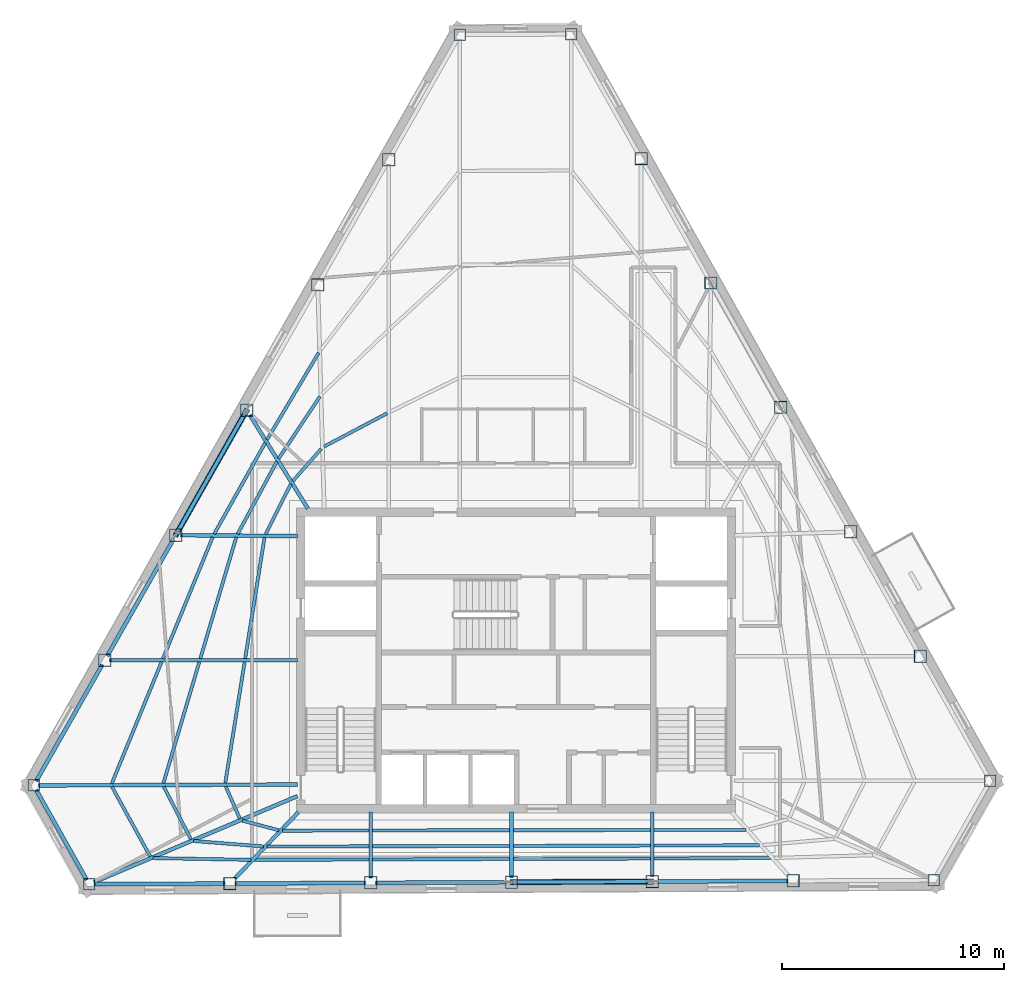
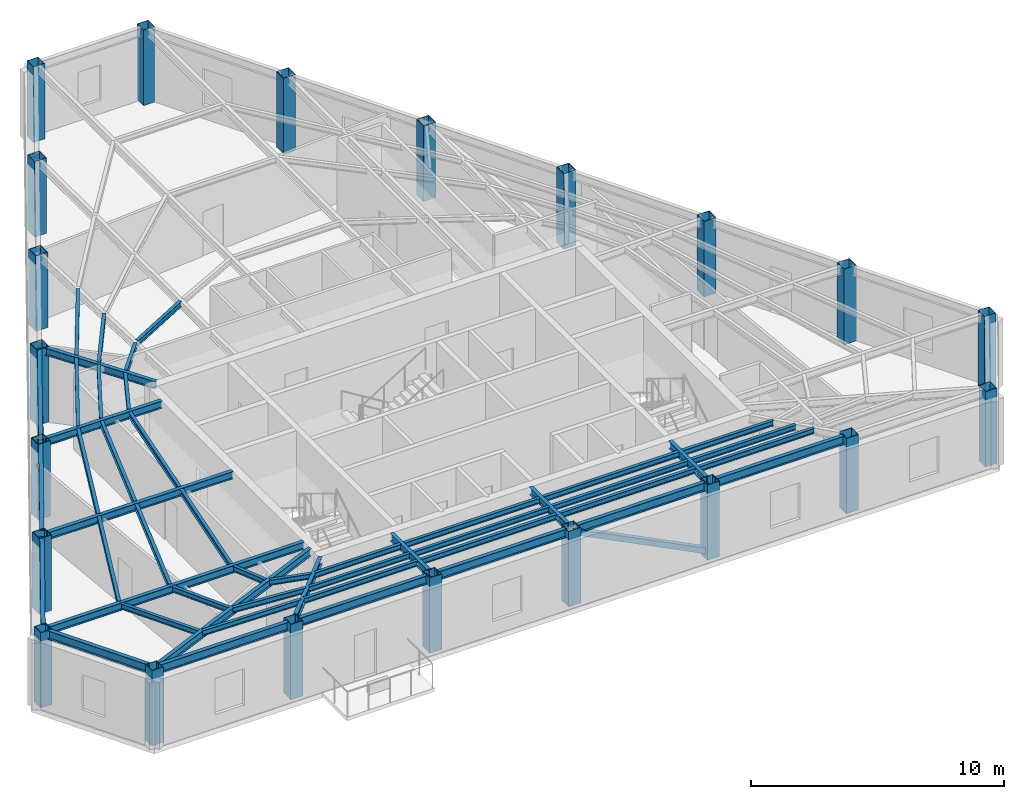
# One storey, part 1 of 9: 49 beams, 21 columns, 2 members.
"""IFC4 building model written with IfcOpenShell, lengths in metres."""

from ifc_helpers import new_model, si_unit, direction, frame, origin, origin_2d, place, context, subcontext, project, spatial, hollow_rectangle, i_section, extrude, material, material_profile, profile_set, type_object, element, save


model = new_model("IFC4")

# Units and contexts
model_context = context("Model", 3, precision=1e-05, world=origin(), true_north=direction((0.0, 1.0)))
body_context = subcontext(model_context, "Body", "Model", "MODEL_VIEW")
ifc_project = project(units=[si_unit("LENGTHUNIT", "METRE"), si_unit("AREAUNIT", "SQUARE_METRE"), si_unit("VOLUMEUNIT", "CUBIC_METRE"), si_unit("PLANEANGLEUNIT", "RADIAN"), si_unit("MASSUNIT", "GRAM", prefix="KILO")], contexts=[model_context])

# Site, building, storey
site_placement = place(None, origin())
site = spatial("IfcSite", under=ifc_project, at=site_placement, CompositionType="ELEMENT")
building_placement = place(site_placement, origin())
building = spatial("IfcBuilding", under=site, at=building_placement, Name="Kavelnor Concourse Tower", CompositionType="ELEMENT")
storey_placement = place(building_placement, frame((0.0, 0.0, 301.10009765625)))
storey = spatial("IfcBuildingStorey", under=building, at=storey_placement, Name="L76", CompositionType="ELEMENT", Elevation=301.10009765625)

# Columns
ifc_material = material(Name="Steel Grade 350", Category="steel")
ifc_material_profile_1 = material_profile(ifc_material, hollow_rectangle(XDim=0.52001953125, YDim=0.52001953125, WallThickness=0.02392578125, at=origin_2d()), Name="SHS 520x520x24")
ifc_profile_set_1 = profile_set([ifc_material_profile_1], Name="Steel Grade 350")
column_type_1 = type_object("IfcColumnType", Name="COL-FOLD-Z4", PredefinedType="COLUMN", material=ifc_profile_set_1)
for number, where, z_axis, x_axis, name in (
    (1, (35.46240234375, 44.32861328125, 0.0), (0.0, 0.0, 1.0), (1.0, 0.0, 0.0), "L76 Perimeter Corner-Fold Column F0-B0"),
    (2, (16.238525390625, 10.455078125, 0.0), (0.0, 0.0, 1.0), (1.0, 0.0, 0.0), "L76 Perimeter Corner-Fold Column F0-B6"),
    (3, (18.739501953125, 5.998779296875, 0.0), (0.0, 0.0, 1.0), (1.0, 0.0, 0.0), "L76 Perimeter Corner-Fold Column F1-B0"),
    (4, (56.849609375, 6.18017578125, 0.0), (0.0, 0.0, 1.0), (1.0, 0.0, 0.0), "L76 Perimeter Corner-Fold Column F1-B6"),
    (5, (59.396728515625, 10.668212890625, 0.0), (0.0, 0.0, 1.0), (1.0, 0.0, 0.0), "L76 Perimeter Corner-Fold Column F2-B0"),
    (6, (40.49169921875, 44.352783203125, 0.0), (0.0, 0.0, 1.0), (1.0, 0.0, 0.0), "L76 Perimeter Corner-Fold Column F2-B6"),
):
    element("IfcColumn", number, at=place(storey_placement, frame(where, z_axis=z_axis, x_axis=x_axis)), inside=storey, type_object=column_type_1, Name=name, PredefinedType="COLUMN", context=body_context, shape_type="SweptSolid", body=[
        extrude(hollow_rectangle(XDim=0.52001953125, YDim=0.52001953125, WallThickness=0.02392578125, at=origin_2d()), origin(), (0.0, 0.0, 1.0), 3.635009765625),
    ])
ifc_material_profile_2 = material_profile(ifc_material, hollow_rectangle(XDim=0.56005859375, YDim=0.56005859375, WallThickness=0.02490234375, at=origin_2d()), Name="SHS 560x560x25")
ifc_profile_set_2 = profile_set([ifc_material_profile_2], Name="Steel Grade 350")
column_type_2 = type_object("IfcColumnType", Name="COL-TUBE-Z4", PredefinedType="COLUMN", material=ifc_profile_set_2)
for number, where, z_axis, x_axis, name in (
    (7, (32.25830078125, 38.68310546875, 0.0), (0.0, 0.0, 1.0), (1.0, 0.0, 0.0), "L76 Perimeter Framed-Tube Column F0-B1"),
    (8, (29.054443359375, 33.03759765625, 0.0), (0.0, 0.0, 1.0), (1.0, 0.0, 0.0), "L76 Perimeter Framed-Tube Column F0-B2"),
    (9, (25.850341796875, 27.391845703125, 0.0), (0.0, 0.0, 1.0), (1.0, 0.0, 0.0), "L76 Perimeter Framed-Tube Column F0-B3"),
    (10, (22.646484375, 21.74609375, 0.0), (0.0, 0.0, 1.0), (1.0, 0.0, 0.0), "L76 Perimeter Framed-Tube Column F0-B4"),
    (11, (19.4423828125, 16.1005859375, 0.0), (0.0, 0.0, 1.0), (1.0, 0.0, 0.0), "L76 Perimeter Framed-Tube Column F0-B5"),
    (12, (25.09130859375, 6.02880859375, 0.0), (0.0, 0.0, 1.0), (1.0, 0.0, 0.0), "L76 Perimeter Framed-Tube Column F1-B1"),
    (13, (31.44287109375, 6.05908203125, 0.0), (0.0, 0.0, 1.0), (1.0, 0.0, 0.0), "L76 Perimeter Framed-Tube Column F1-B2"),
    (14, (37.794677734375, 6.08935546875, 0.0), (0.0, 0.0, 1.0), (1.0, 0.0, 0.0), "L76 Perimeter Framed-Tube Column F1-B3"),
    (15, (44.146240234375, 6.11962890625, 0.0), (0.0, 0.0, 1.0), (1.0, 0.0, 0.0), "L76 Perimeter Framed-Tube Column F1-B4"),
    (16, (50.498046875, 6.14990234375, 0.0), (0.0, 0.0, 1.0), (1.0, 0.0, 0.0), "L76 Perimeter Framed-Tube Column F1-B5"),
    (17, (56.245849609375, 16.2822265625, 0.0), (0.0, 0.0, 1.0), (1.0, 0.0, 0.0), "L76 Perimeter Framed-Tube Column F2-B1"),
    (18, (53.09521484375, 21.896240234375, 0.0), (0.0, 0.0, 1.0), (1.0, 0.0, 0.0), "L76 Perimeter Framed-Tube Column F2-B2"),
    (19, (49.944091796875, 27.510498046875, 0.0), (0.0, 0.0, 1.0), (1.0, 0.0, 0.0), "L76 Perimeter Framed-Tube Column F2-B3"),
    (20, (46.793212890625, 33.12451171875, 0.0), (0.0, 0.0, 1.0), (1.0, 0.0, 0.0), "L76 Perimeter Framed-Tube Column F2-B4"),
    (21, (43.642578125, 38.738525390625, 0.0), (0.0, 0.0, 1.0), (1.0, 0.0, 0.0), "L76 Perimeter Framed-Tube Column F2-B5"),
):
    element("IfcColumn", number, at=place(storey_placement, frame(where, z_axis=z_axis, x_axis=x_axis)), inside=storey, type_object=column_type_2, Name=name, PredefinedType="COLUMN", context=body_context, shape_type="SweptSolid", body=[
        extrude(hollow_rectangle(XDim=0.56005859375, YDim=0.56005859375, WallThickness=0.02490234375, at=origin_2d()), origin(), (0.0, 0.0, 1.0), 3.635009765625),
    ])

# Beams
ifc_material_profile_3 = material_profile(ifc_material, i_section(OverallWidth=0.14599609375, OverallDepth=0.256103515625, WebThickness=0.00634765625, FlangeThickness=0.010986328125, at=origin_2d()), Name="250UB37")
ifc_profile_set_3 = profile_set([ifc_material_profile_3], Name="Steel Grade 350")
beam_type_1 = type_object("IfcBeamType", Name="BM-JOIST-250", PredefinedType="JOIST", material=ifc_profile_set_3)
beam_1_placement = place(storey_placement, frame((24.902099609375, 10.409423828125, 3.5068359375), z_axis=(0.400810725197, -0.916160882469, 0.0), x_axis=(0.916160882469, 0.400810725197, 0.0)))
element("IfcBeam", 22, at=beam_1_placement, inside=storey, type_object=beam_type_1, Name="L76 Secondary Composite Joist 01-1", PredefinedType="JOIST", context=body_context, shape_type="SweptSolid", body=[
    extrude(i_section(OverallWidth=0.14599609375, OverallDepth=0.256103515625, WebThickness=0.00634765625, FlangeThickness=0.010986328125, at=origin_2d()), origin(), (0.0, 0.0, 1.0), 1.579345703125),
])
beam_2_placement = place(storey_placement, frame((22.103271484375, 10.402099609375, 3.5068359375), z_axis=(0.458766317097, -0.888556957261, 0.0), x_axis=(0.888556957261, 0.458766317097, 0.0)))
element("IfcBeam", 23, at=beam_2_placement, inside=storey, type_object=beam_type_1, Name="L76 Secondary Composite Joist 01-2", PredefinedType="JOIST", context=body_context, shape_type="SweptSolid", body=[
    extrude(i_section(OverallWidth=0.14599609375, OverallDepth=0.256103515625, WebThickness=0.00634765625, FlangeThickness=0.010986328125, at=origin_2d()), origin(), (0.0, 0.0, 1.0), 2.6708984375),
])
beam_3_placement = place(storey_placement, frame((19.768798828125, 10.39501953125, 3.5068359375), z_axis=(0.480702547886, -0.876883721172, 0.0), x_axis=(0.876883721172, 0.480702547886, 0.0)))
element("IfcBeam", 24, at=beam_3_placement, inside=storey, type_object=beam_type_1, Name="L76 Secondary Composite Joist 01-3", PredefinedType="JOIST", context=body_context, shape_type="SweptSolid", body=[
    extrude(i_section(OverallWidth=0.14599609375, OverallDepth=0.256103515625, WebThickness=0.00634765625, FlangeThickness=0.010986328125, at=origin_2d()), origin(), (0.0, 0.0, 1.0), 3.584716796875),
])
beam_4_placement = place(storey_placement, frame((25.6474609375, 8.86669921875, 3.5068359375), z_axis=(0.967143071261, -0.25423272746, 0.0), x_axis=(0.25423272746, 0.967143071261, 0.0)))
element("IfcBeam", 25, at=beam_4_placement, inside=storey, type_object=beam_type_1, Name="L76 Secondary Composite Joist 02-1", PredefinedType="JOIST", context=body_context, shape_type="SweptSolid", body=[
    extrude(i_section(OverallWidth=0.14599609375, OverallDepth=0.256103515625, WebThickness=0.00634765625, FlangeThickness=0.010986328125, at=origin_2d()), origin(), (0.0, 0.0, 1.0), 1.70654296875),
])
beam_5_placement = place(storey_placement, frame((23.447998046875, 7.94970703125, 3.5068359375), z_axis=(0.996920218009, -0.07842243891, 0.0), x_axis=(0.07842243891, 0.996920218009, 0.0)))
element("IfcBeam", 26, at=beam_5_placement, inside=storey, type_object=beam_type_1, Name="L76 Secondary Composite Joist 02-2", PredefinedType="JOIST", context=body_context, shape_type="SweptSolid", body=[
    extrude(i_section(OverallWidth=0.14599609375, OverallDepth=0.256103515625, WebThickness=0.00634765625, FlangeThickness=0.010986328125, at=origin_2d()), origin(), (0.0, 0.0, 1.0), 3.169189453125),
])
beam_6_placement = place(storey_placement, frame((21.61328125, 7.17822265625, 3.5068359375), z_axis=(0.99983695246, -0.01805736681, 0.0), x_axis=(0.01805736681, 0.99983695246, 0.0)))
element("IfcBeam", 27, at=beam_6_placement, inside=storey, type_object=beam_type_1, Name="L76 Secondary Composite Joist 02-3", PredefinedType="JOIST", context=body_context, shape_type="SweptSolid", body=[
    extrude(i_section(OverallWidth=0.14599609375, OverallDepth=0.256103515625, WebThickness=0.00634765625, FlangeThickness=0.010986328125, at=origin_2d()), origin(), (0.0, 0.0, 1.0), 4.421142578125),
])
beam_7_placement = place(storey_placement, frame((27.458984375, 8.412353515625, 3.5068359375), z_axis=(0.999994706889, 0.003253643146, 0.0), x_axis=(-0.003253643146, 0.999994706889, 0.0)))
element("IfcBeam", 28, at=beam_7_placement, inside=storey, type_object=beam_type_1, Name="L76 Secondary Composite Joist 03-1", PredefinedType="JOIST", context=body_context, shape_type="SweptSolid", body=[
    extrude(i_section(OverallWidth=0.14599609375, OverallDepth=0.256103515625, WebThickness=0.00634765625, FlangeThickness=0.010986328125, at=origin_2d()), origin(), (0.0, 0.0, 1.0), 3.90185546875),
])
beam_8_placement = place(storey_placement, frame((26.77099609375, 7.69482421875, 3.5068359375), z_axis=(0.999994736065, 0.003244663771, 0.0), x_axis=(-0.003244663771, 0.999994736065, 0.0)))
element("IfcBeam", 29, at=beam_8_placement, inside=storey, type_object=beam_type_1, Name="L76 Secondary Composite Joist 03-2", PredefinedType="JOIST", context=body_context, shape_type="SweptSolid", body=[
    extrude(i_section(OverallWidth=0.14599609375, OverallDepth=0.256103515625, WebThickness=0.00634765625, FlangeThickness=0.010986328125, at=origin_2d()), origin(), (0.0, 0.0, 1.0), 4.58984375),
])
beam_9_placement = place(storey_placement, frame((26.19775390625, 7.09716796875, 3.5068359375), z_axis=(0.999994981456, 0.003168132389, 0.0), x_axis=(-0.003168132389, 0.999994981456, 0.0)))
element("IfcBeam", 30, at=beam_9_placement, inside=storey, type_object=beam_type_1, Name="L76 Secondary Composite Joist 03-3", PredefinedType="JOIST", context=body_context, shape_type="SweptSolid", body=[
    extrude(i_section(OverallWidth=0.14599609375, OverallDepth=0.256103515625, WebThickness=0.00634765625, FlangeThickness=0.010986328125, at=origin_2d()), origin(), (0.0, 0.0, 1.0), 5.1630859375),
])
for number, where, z_axis, x_axis, name in (
    (31, (31.52490234375, 8.425537109375, 3.5068359375), (0.999999152357, 0.001302030855, 0.0), (-0.001302030855, 0.999999152357, 0.0), "L76 Secondary Composite Joist 04-1"),
    (32, (31.52490234375, 7.710205078125, 3.5068359375), (0.999996910669, 0.002485689697, 0.0), (-0.002485689697, 0.999996910669, 0.0), "L76 Secondary Composite Joist 04-2"),
    (33, (31.52490234375, 7.114013671875, 3.5068359375), (0.999994108579, 0.003432609487, 0.0), (-0.003432609487, 0.999994108579, 0.0), "L76 Secondary Composite Joist 04-3"),
):
    element("IfcBeam", number, at=place(storey_placement, frame(where, z_axis=z_axis, x_axis=x_axis)), inside=storey, type_object=beam_type_1, Name=name, PredefinedType="JOIST", context=body_context, shape_type="SweptSolid", body=[
        extrude(i_section(OverallWidth=0.14599609375, OverallDepth=0.256103515625, WebThickness=0.00634765625, FlangeThickness=0.010986328125, at=origin_2d()), origin(), (0.0, 0.0, 1.0), 6.187744140625),
    ])
for number, where, z_axis, x_axis, name in (
    (34, (37.876708984375, 8.433837890625, 3.5068359375), (0.999999100136, 0.001341539197, 0.0), (-0.001341539197, 0.999999100136, 0.0), "L76 Secondary Composite Joist 05-1"),
    (35, (37.876708984375, 7.725830078125, 3.5068359375), (0.999996910425, 0.002485787774, 0.0), (-0.002485787774, 0.999996910425, 0.0), "L76 Secondary Composite Joist 05-2"),
    (36, (37.876708984375, 7.1357421875, 3.5068359375), (0.999994108114, 0.003432744926, 0.0), (-0.003432744926, 0.999994108114, 0.0), "L76 Secondary Composite Joist 05-3"),
):
    element("IfcBeam", number, at=place(storey_placement, frame(where, z_axis=z_axis, x_axis=x_axis)), inside=storey, type_object=beam_type_1, Name=name, PredefinedType="JOIST", context=body_context, shape_type="SweptSolid", body=[
        extrude(i_section(OverallWidth=0.14599609375, OverallDepth=0.256103515625, WebThickness=0.00634765625, FlangeThickness=0.010986328125, at=origin_2d()), origin(), (0.0, 0.0, 1.0), 6.1875),
    ])
beam_10_placement = place(storey_placement, frame((44.228271484375, 8.4423828125, 3.5068359375), z_axis=(0.999999555002, 0.000943395807, 0.0), x_axis=(-0.000943395807, 0.999999555002, 0.0)))
element("IfcBeam", 37, at=beam_10_placement, inside=storey, type_object=beam_type_1, Name="L76 Secondary Composite Joist 06-1", PredefinedType="JOIST", context=body_context, shape_type="SweptSolid", body=[
    extrude(i_section(OverallWidth=0.14599609375, OverallDepth=0.256103515625, WebThickness=0.00634765625, FlangeThickness=0.010986328125, at=origin_2d()), origin(), (0.0, 0.0, 1.0), 4.140625),
])
beam_11_placement = place(storey_placement, frame((44.228271484375, 7.74169921875, 3.5068359375), z_axis=(0.999994600277, 0.003286246697, 0.0), x_axis=(-0.003286246697, 0.999994600277, 0.0)))
element("IfcBeam", 38, at=beam_11_placement, inside=storey, type_object=beam_type_1, Name="L76 Secondary Composite Joist 06-2", PredefinedType="JOIST", context=body_context, shape_type="SweptSolid", body=[
    extrude(i_section(OverallWidth=0.14599609375, OverallDepth=0.256103515625, WebThickness=0.00634765625, FlangeThickness=0.010986328125, at=origin_2d()), origin(), (0.0, 0.0, 1.0), 4.754638671875),
])
beam_12_placement = place(storey_placement, frame((44.228271484375, 7.15771484375, 3.5068359375), z_axis=(0.999988376717, 0.004821455317, 0.0), x_axis=(-0.004821455317, 0.999988376717, 0.0)))
element("IfcBeam", 39, at=beam_12_placement, inside=storey, type_object=beam_type_1, Name="L76 Secondary Composite Joist 06-3", PredefinedType="JOIST", context=body_context, shape_type="SweptSolid", body=[
    extrude(i_section(OverallWidth=0.14599609375, OverallDepth=0.256103515625, WebThickness=0.00634765625, FlangeThickness=0.010986328125, at=origin_2d()), origin(), (0.0, 0.0, 1.0), 5.26611328125),
])
beam_13_placement = place(storey_placement, frame((32.185791015625, 27.248291015625, 3.5068359375), z_axis=(-0.884246534985, -0.467020412152, 0.0), x_axis=(0.467020412152, -0.884246534985, 0.0)))
element("IfcBeam", 40, at=beam_13_placement, inside=storey, type_object=beam_type_1, Name="L76 Secondary Composite Joist 17-1", PredefinedType="JOIST", context=body_context, shape_type="SweptSolid", body=[
    extrude(i_section(OverallWidth=0.14599609375, OverallDepth=0.256103515625, WebThickness=0.00634765625, FlangeThickness=0.010986328125, at=origin_2d()), origin(), (0.0, 0.0, 1.0), 3.22119140625),
])
beam_14_placement = place(storey_placement, frame((29.210693359375, 25.644287109375, 3.5068359375), z_axis=(-0.66106767145, -0.750326284868, 0.0), x_axis=(0.750326284868, -0.66106767145, 0.0)))
element("IfcBeam", 41, at=beam_14_placement, inside=storey, type_object=beam_type_1, Name="L76 Secondary Composite Joist 18-1", PredefinedType="JOIST", context=body_context, shape_type="SweptSolid", body=[
    extrude(i_section(OverallWidth=0.14599609375, OverallDepth=0.256103515625, WebThickness=0.00634765625, FlangeThickness=0.010986328125, at=origin_2d()), origin(), (0.0, 0.0, 1.0), 1.939208984375),
])
beam_15_placement = place(storey_placement, frame((29.151611328125, 28.008056640625, 3.5068359375), z_axis=(-0.553308062205, -0.832976703335, 0.0), x_axis=(0.832976703335, -0.553308062205, 0.0)))
element("IfcBeam", 42, at=beam_15_placement, inside=storey, type_object=beam_type_1, Name="L76 Secondary Composite Joist 18-2", PredefinedType="JOIST", context=body_context, shape_type="SweptSolid", body=[
    extrude(i_section(OverallWidth=0.14599609375, OverallDepth=0.256103515625, WebThickness=0.00634765625, FlangeThickness=0.010986328125, at=origin_2d()), origin(), (0.0, 0.0, 1.0), 3.36083984375),
])
beam_16_placement = place(storey_placement, frame((29.09814453125, 29.981201171875, 3.5068359375), z_axis=(-0.510804261915, -0.859697043155, 0.0), x_axis=(0.859697043155, -0.510804261915, 0.0)))
element("IfcBeam", 43, at=beam_16_placement, inside=storey, type_object=beam_type_1, Name="L76 Secondary Composite Joist 18-3", PredefinedType="JOIST", context=body_context, shape_type="SweptSolid", body=[
    extrude(i_section(OverallWidth=0.14599609375, OverallDepth=0.256103515625, WebThickness=0.00634765625, FlangeThickness=0.010986328125, at=origin_2d()), origin(), (0.0, 0.0, 1.0), 4.5673828125),
])
beam_17_placement = place(storey_placement, frame((27.837890625, 24.05419921875, 3.5068359375), z_axis=(-0.449294952121, -0.893383482049, 0.0), x_axis=(0.893383482049, -0.449294952121, 0.0)))
element("IfcBeam", 44, at=beam_17_placement, inside=storey, type_object=beam_type_1, Name="L76 Secondary Composite Joist 19-1", PredefinedType="JOIST", context=body_context, shape_type="SweptSolid", body=[
    extrude(i_section(OverallWidth=0.14599609375, OverallDepth=0.256103515625, WebThickness=0.00634765625, FlangeThickness=0.010986328125, at=origin_2d()), origin(), (0.0, 0.0, 1.0), 2.5322265625),
])
beam_18_placement = place(storey_placement, frame((27.20751953125, 25.068115234375, 3.5068359375), z_axis=(-0.476314882076, -0.879274776798, 0.0), x_axis=(0.879274776798, -0.476314882076, 0.0)))
element("IfcBeam", 45, at=beam_18_placement, inside=storey, type_object=beam_type_1, Name="L76 Secondary Composite Joist 19-2", PredefinedType="JOIST", context=body_context, shape_type="SweptSolid", body=[
    extrude(i_section(OverallWidth=0.14599609375, OverallDepth=0.256103515625, WebThickness=0.00634765625, FlangeThickness=0.010986328125, at=origin_2d()), origin(), (0.0, 0.0, 1.0), 3.717529296875),
])
beam_19_placement = place(storey_placement, frame((26.68310546875, 25.91259765625, 3.5068359375), z_axis=(-0.488674444785, -0.872466209669, 0.0), x_axis=(0.872466209669, -0.488674444785, 0.0)))
element("IfcBeam", 46, at=beam_19_placement, inside=storey, type_object=beam_type_1, Name="L76 Secondary Composite Joist 19-3", PredefinedType="JOIST", context=body_context, shape_type="SweptSolid", body=[
    extrude(i_section(OverallWidth=0.14599609375, OverallDepth=0.256103515625, WebThickness=0.00634765625, FlangeThickness=0.010986328125, at=origin_2d()), origin(), (0.0, 0.0, 1.0), 4.706787109375),
])
beam_20_placement = place(storey_placement, frame((26.650390625, 21.6376953125, 3.5068359375), z_axis=(-0.157659605927, -0.987493518287, 0.0), x_axis=(0.987493518287, -0.157659605927, 0.0)))
element("IfcBeam", 47, at=beam_20_placement, inside=storey, type_object=beam_type_1, Name="L76 Secondary Composite Joist 20-1", PredefinedType="JOIST", context=body_context, shape_type="SweptSolid", body=[
    extrude(i_section(OverallWidth=0.14599609375, OverallDepth=0.256103515625, WebThickness=0.00634765625, FlangeThickness=0.010986328125, at=origin_2d()), origin(), (0.0, 0.0, 1.0), 5.525146484375),
])
beam_21_placement = place(storey_placement, frame((25.37451171875, 21.648681640625, 3.5068359375), z_axis=(-0.283933858134, -0.958843868523, 0.0), x_axis=(0.958843868523, -0.283933858134, 0.0)))
element("IfcBeam", 48, at=beam_21_placement, inside=storey, type_object=beam_type_1, Name="L76 Secondary Composite Joist 20-2", PredefinedType="JOIST", context=body_context, shape_type="SweptSolid", body=[
    extrude(i_section(OverallWidth=0.14599609375, OverallDepth=0.256103515625, WebThickness=0.00634765625, FlangeThickness=0.010986328125, at=origin_2d()), origin(), (0.0, 0.0, 1.0), 5.704345703125),
])
beam_22_placement = place(storey_placement, frame((24.31201171875, 21.65869140625, 3.5068359375), z_axis=(-0.378910449754, -0.925433342314, 0.0), x_axis=(0.925433342314, -0.378910449754, 0.0)))
element("IfcBeam", 49, at=beam_22_placement, inside=storey, type_object=beam_type_1, Name="L76 Secondary Composite Joist 20-3", PredefinedType="JOIST", context=body_context, shape_type="SweptSolid", body=[
    extrude(i_section(OverallWidth=0.14599609375, OverallDepth=0.256103515625, WebThickness=0.00634765625, FlangeThickness=0.010986328125, at=origin_2d()), origin(), (0.0, 0.0, 1.0), 5.923828125),
])
beam_23_placement = place(storey_placement, frame((25.75341796875, 16.01953125, 3.5068359375), z_axis=(-0.157764648884, -0.987476741783, 0.0), x_axis=(0.987476741783, -0.157764648884, 0.0)))
element("IfcBeam", 50, at=beam_23_placement, inside=storey, type_object=beam_type_1, Name="L76 Secondary Composite Joist 21-1", PredefinedType="JOIST", context=body_context, shape_type="SweptSolid", body=[
    extrude(i_section(OverallWidth=0.14599609375, OverallDepth=0.256103515625, WebThickness=0.00634765625, FlangeThickness=0.010986328125, at=origin_2d()), origin(), (0.0, 0.0, 1.0), 5.52294921875),
])
beam_24_placement = place(storey_placement, frame((23.70849609375, 16.02197265625, 3.5068359375), z_axis=(-0.283992130415, -0.958826610948, 0.0), x_axis=(0.958826610948, -0.283992130415, 0.0)))
element("IfcBeam", 51, at=beam_24_placement, inside=storey, type_object=beam_type_1, Name="L76 Secondary Composite Joist 21-2", PredefinedType="JOIST", context=body_context, shape_type="SweptSolid", body=[
    extrude(i_section(OverallWidth=0.14599609375, OverallDepth=0.256103515625, WebThickness=0.00634765625, FlangeThickness=0.010986328125, at=origin_2d()), origin(), (0.0, 0.0, 1.0), 5.703125),
])
beam_25_placement = place(storey_placement, frame((22.005126953125, 16.024658203125, 3.5068359375), z_axis=(-0.378939354833, -0.92542150686, 0.0), x_axis=(0.92542150686, -0.378939354833, 0.0)))
element("IfcBeam", 52, at=beam_25_placement, inside=storey, type_object=beam_type_1, Name="L76 Secondary Composite Joist 21-3", PredefinedType="JOIST", context=body_context, shape_type="SweptSolid", body=[
    extrude(i_section(OverallWidth=0.14599609375, OverallDepth=0.256103515625, WebThickness=0.00634765625, FlangeThickness=0.010986328125, at=origin_2d()), origin(), (0.0, 0.0, 1.0), 5.92333984375),
])
ifc_material_profile_4 = material_profile(ifc_material, i_section(OverallWidth=0.172119140625, OverallDepth=0.35888671875, WebThickness=0.008056640625, FlangeThickness=0.012939453125, at=origin_2d()), Name="360UB56")
ifc_profile_set_4 = profile_set([ifc_material_profile_4], Name="Steel Grade 350")
beam_type_2 = type_object("IfcBeamType", Name="BM-PRIMARY-360", PredefinedType="BEAM", material=ifc_profile_set_4)
beam_26_placement = place(storey_placement, frame((28.607421875, 22.946044921875, 3.455322265625), z_axis=(-0.527043373198, 0.849838386264, 0.0), x_axis=(-0.849838386264, -0.527043373198, 0.0)))
element("IfcBeam", 53, at=beam_26_placement, inside=storey, type_object=beam_type_2, Name="L76 Primary Floor Girder F0-B3", PredefinedType="BEAM", context=body_context, shape_type="SweptSolid", body=[
    extrude(i_section(OverallWidth=0.172119140625, OverallDepth=0.35888671875, WebThickness=0.008056640625, FlangeThickness=0.012939453125, at=origin_2d()), origin(), (0.0, 0.0, 1.0), 4.96533203125),
])
beam_27_placement = place(storey_placement, frame((28.139892578125, 21.70849609375, 3.455322265625), z_axis=(-0.99997652689, 0.006851691018, 0.0), x_axis=(-0.006851691018, -0.99997652689, 0.0)))
element("IfcBeam", 54, at=beam_27_placement, inside=storey, type_object=beam_type_2, Name="L76 Primary Floor Girder F0-B4", PredefinedType="BEAM", context=body_context, shape_type="SweptSolid", body=[
    extrude(i_section(OverallWidth=0.172119140625, OverallDepth=0.35888671875, WebThickness=0.008056640625, FlangeThickness=0.012939453125, at=origin_2d()), origin(), (0.0, 0.0, 1.0), 5.273681640625),
])
beam_28_placement = place(storey_placement, frame((28.139892578125, 16.1005859375, 3.455322265625), z_axis=(-1.0, 0.0, 0.0), x_axis=(0.0, -1.0, 0.0)))
element("IfcBeam", 55, at=beam_28_placement, inside=storey, type_object=beam_type_2, Name="L76 Primary Floor Girder F0-B5", PredefinedType="BEAM", context=body_context, shape_type="SweptSolid", body=[
    extrude(i_section(OverallWidth=0.172119140625, OverallDepth=0.35888671875, WebThickness=0.008056640625, FlangeThickness=0.012939453125, at=origin_2d()), origin(), (0.0, 0.0, 1.0), 8.477294921875),
])
beam_29_placement = place(storey_placement, frame((28.139892578125, 10.495849609375, 3.455322265625), z_axis=(-0.999994125858, -0.003427571982, 0.0), x_axis=(0.003427571982, -0.999994125858, 0.0)))
element("IfcBeam", 56, at=beam_29_placement, inside=storey, type_object=beam_type_2, Name="L76 Primary Floor Girder F0-B6", PredefinedType="BEAM", context=body_context, shape_type="SweptSolid", body=[
    extrude(i_section(OverallWidth=0.172119140625, OverallDepth=0.35888671875, WebThickness=0.008056640625, FlangeThickness=0.012939453125, at=origin_2d()), origin(), (0.0, 0.0, 1.0), 11.681396484375),
])
beam_30_placement = place(storey_placement, frame((28.13671875, 9.97412109375, 3.455322265625), z_axis=(-0.920975707542, -0.389620002203, 0.0), x_axis=(0.389620002203, -0.920975707542, 0.0)))
element("IfcBeam", 57, at=beam_30_placement, inside=storey, type_object=beam_type_2, Name="L76 Primary Floor Girder F1-B0", PredefinedType="BEAM", context=body_context, shape_type="SweptSolid", body=[
    extrude(i_section(OverallWidth=0.172119140625, OverallDepth=0.35888671875, WebThickness=0.008056640625, FlangeThickness=0.012939453125, at=origin_2d()), origin(), (0.0, 0.0, 1.0), 9.961181640625),
])
beam_31_placement = place(storey_placement, frame((28.179931640625, 9.248779296875, 3.455322265625), z_axis=(-0.692245860582, -0.721661741058, 0.0), x_axis=(0.721661741058, -0.692245860582, 0.0)))
element("IfcBeam", 58, at=beam_31_placement, inside=storey, type_object=beam_type_2, Name="L76 Primary Floor Girder F1-B1", PredefinedType="BEAM", context=body_context, shape_type="SweptSolid", body=[
    extrude(i_section(OverallWidth=0.172119140625, OverallDepth=0.35888671875, WebThickness=0.008056640625, FlangeThickness=0.012939453125, at=origin_2d()), origin(), (0.0, 0.0, 1.0), 4.1416015625),
])
beam_32_placement = place(storey_placement, frame((31.44287109375, 9.260009765625, 3.455322265625), z_axis=(0.0, -1.0, 0.0), x_axis=(1.0, 0.0, 0.0)))
element("IfcBeam", 59, at=beam_32_placement, inside=storey, type_object=beam_type_2, Name="L76 Primary Floor Girder F1-B2", PredefinedType="BEAM", context=body_context, shape_type="SweptSolid", body=[
    extrude(i_section(OverallWidth=0.172119140625, OverallDepth=0.35888671875, WebThickness=0.008056640625, FlangeThickness=0.012939453125, at=origin_2d()), origin(), (0.0, 0.0, 1.0), 2.980712890625),
])
beam_33_placement = place(storey_placement, frame((37.794677734375, 9.260009765625, 3.455322265625), z_axis=(0.0, -1.0, 0.0), x_axis=(1.0, 0.0, 0.0)))
element("IfcBeam", 60, at=beam_33_placement, inside=storey, type_object=beam_type_2, Name="L76 Primary Floor Girder F1-B3", PredefinedType="BEAM", context=body_context, shape_type="SweptSolid", body=[
    extrude(i_section(OverallWidth=0.172119140625, OverallDepth=0.35888671875, WebThickness=0.008056640625, FlangeThickness=0.012939453125, at=origin_2d()), origin(), (0.0, 0.0, 1.0), 2.95068359375),
])
beam_34_placement = place(storey_placement, frame((44.146240234375, 9.260009765625, 3.455322265625), z_axis=(0.0, -1.0, 0.0), x_axis=(1.0, 0.0, 0.0)))
element("IfcBeam", 61, at=beam_34_placement, inside=storey, type_object=beam_type_2, Name="L76 Primary Floor Girder F1-B4", PredefinedType="BEAM", context=body_context, shape_type="SweptSolid", body=[
    extrude(i_section(OverallWidth=0.172119140625, OverallDepth=0.35888671875, WebThickness=0.008056640625, FlangeThickness=0.012939453125, at=origin_2d()), origin(), (0.0, 0.0, 1.0), 2.92041015625),
])
ifc_material_profile_5 = material_profile(ifc_material, i_section(OverallWidth=0.177978515625, OverallDepth=0.406005859375, WebThickness=0.0078125, FlangeThickness=0.0126953125, at=origin_2d()), Name="410UB59")
ifc_profile_set_5 = profile_set([ifc_material_profile_5], Name="Steel Grade 350")
beam_type_3 = type_object("IfcBeamType", Name="BM-SPANDREL-Z4", PredefinedType="SPANDREL", material=ifc_profile_set_5)
for number, where, z_axis, x_axis, name in (
    (62, (25.7392578125, 27.196044921875, 3.431884765625), (-0.493555952136, -0.869714046173, 0.0), (0.869714046173, -0.493555952136, 0.0), "L76 Perimeter Tube Spandrel Beam F0-B3"),
    (63, (22.535400390625, 21.550537109375, 3.431884765625), (-0.493555952136, -0.869714046173, 0.0), (0.869714046173, -0.493555952136, 0.0), "L76 Perimeter Tube Spandrel Beam F0-B4"),
    (64, (19.331298828125, 15.90478515625, 3.431884765625), (-0.493555952136, -0.869714046173, 0.0), (0.869714046173, -0.493555952136, 0.0), "L76 Perimeter Tube Spandrel Beam F0-B5"),
):
    element("IfcBeam", number, at=place(storey_placement, frame(where, z_axis=z_axis, x_axis=x_axis)), inside=storey, type_object=beam_type_3, Name=name, PredefinedType="SPANDREL", context=body_context, shape_type="SweptSolid", body=[
        extrude(i_section(OverallWidth=0.177978515625, OverallDepth=0.406005859375, WebThickness=0.0078125, FlangeThickness=0.0126953125, at=origin_2d()), origin(), (0.0, 0.0, 1.0), 6.041259765625),
    ])
beam_35_placement = place(storey_placement, frame((18.964599609375, 5.999755859375, 3.431884765625), z_axis=(0.999988683889, 0.004757320095, 0.0), x_axis=(-0.004757320095, 0.999988683889, 0.0)))
element("IfcBeam", 65, at=beam_35_placement, inside=storey, type_object=beam_type_3, Name="L76 Perimeter Tube Spandrel Beam F1-B0", PredefinedType="SPANDREL", context=body_context, shape_type="SweptSolid", body=[
    extrude(i_section(OverallWidth=0.177978515625, OverallDepth=0.406005859375, WebThickness=0.0078125, FlangeThickness=0.0126953125, at=origin_2d()), origin(), (0.0, 0.0, 1.0), 5.901611328125),
])
beam_36_placement = place(storey_placement, frame((25.316162109375, 6.030029296875, 3.431884765625), z_axis=(0.999988684825, 0.004757123304, 0.0), x_axis=(-0.004757123304, 0.999988684825, 0.0)))
element("IfcBeam", 66, at=beam_36_placement, inside=storey, type_object=beam_type_3, Name="L76 Perimeter Tube Spandrel Beam F1-B1", PredefinedType="SPANDREL", context=body_context, shape_type="SweptSolid", body=[
    extrude(i_section(OverallWidth=0.177978515625, OverallDepth=0.406005859375, WebThickness=0.0078125, FlangeThickness=0.0126953125, at=origin_2d()), origin(), (0.0, 0.0, 1.0), 5.90185546875),
])
beam_37_placement = place(storey_placement, frame((31.66796875, 6.060302734375, 3.431884765625), z_axis=(0.999988683889, 0.004757320095, 0.0), x_axis=(-0.004757320095, 0.999988683889, 0.0)))
element("IfcBeam", 67, at=beam_37_placement, inside=storey, type_object=beam_type_3, Name="L76 Perimeter Tube Spandrel Beam F1-B2", PredefinedType="SPANDREL", context=body_context, shape_type="SweptSolid", body=[
    extrude(i_section(OverallWidth=0.177978515625, OverallDepth=0.406005859375, WebThickness=0.0078125, FlangeThickness=0.0126953125, at=origin_2d()), origin(), (0.0, 0.0, 1.0), 5.901611328125),
])
beam_38_placement = place(storey_placement, frame((38.01953125, 6.090576171875, 3.431884765625), z_axis=(0.999988880752, 0.004715757939, 0.0), x_axis=(-0.004715757939, 0.999988880752, 0.0)))
element("IfcBeam", 68, at=beam_38_placement, inside=storey, type_object=beam_type_3, Name="L76 Perimeter Tube Spandrel Beam F1-B3", PredefinedType="SPANDREL", context=body_context, shape_type="SweptSolid", body=[
    extrude(i_section(OverallWidth=0.177978515625, OverallDepth=0.406005859375, WebThickness=0.0078125, FlangeThickness=0.0126953125, at=origin_2d()), origin(), (0.0, 0.0, 1.0), 5.90185546875),
])
beam_39_placement = place(storey_placement, frame((44.371337890625, 6.12060546875, 3.431884765625), z_axis=(0.999988683889, 0.004757320095, 0.0), x_axis=(-0.004757320095, 0.999988683889, 0.0)))
element("IfcBeam", 69, at=beam_39_placement, inside=storey, type_object=beam_type_3, Name="L76 Perimeter Tube Spandrel Beam F1-B4", PredefinedType="SPANDREL", context=body_context, shape_type="SweptSolid", body=[
    extrude(i_section(OverallWidth=0.177978515625, OverallDepth=0.406005859375, WebThickness=0.0078125, FlangeThickness=0.0126953125, at=origin_2d()), origin(), (0.0, 0.0, 1.0), 5.901611328125),
])
beam_40_placement = place(storey_placement, frame((16.3486328125, 10.2587890625, 3.431884765625), z_axis=(0.489410358922, -0.87205361107, 0.0), x_axis=(0.87205361107, 0.489410358922, 0.0)))
element("IfcBeam", 70, at=beam_40_placement, inside=storey, type_object=beam_type_3, Name="L76 Chamfer Facet Spandrel Beam C1", PredefinedType="SPANDREL", context=body_context, shape_type="SweptSolid", body=[
    extrude(i_section(OverallWidth=0.177978515625, OverallDepth=0.406005859375, WebThickness=0.0078125, FlangeThickness=0.0126953125, at=origin_2d()), origin(), (0.0, 0.0, 1.0), 4.66015625),
])

# Members
ifc_material_profile_6 = material_profile(ifc_material, hollow_rectangle(XDim=0.25, YDim=0.25, WallThickness=0.01611328125, at=origin_2d()), Name="SHS 250x250x16")
ifc_profile_set_6 = profile_set([ifc_material_profile_6], Name="Steel Grade 350")
member_type = type_object("IfcMemberType", Name="MBR-TUBE-DIAG-Z4", PredefinedType="BRACE", material=ifc_profile_set_6)
member_1_placement = place(storey_placement, frame((25.850341796875, 27.391845703125, 0.219970703125), z_axis=(-0.442361388224, -0.779517420001, 0.44347378065), x_axis=(0.869718203466, -0.493548626339, 0.0)))
element("IfcMember", 71, at=member_1_placement, inside=storey, type_object=member_type, Name="L76 Framed-Tube Bracing Diagonal F0-B3", PredefinedType="BRACE", context=body_context, shape_type="SweptSolid", body=[
    extrude(hollow_rectangle(XDim=0.25, YDim=0.25, WallThickness=0.01611328125, at=origin_2d()), origin(), (0.0, 0.0, 1.0), 7.24267578125),
])
member_2_placement = place(storey_placement, frame((44.146240234375, 6.11962890625, 0.219970703125), z_axis=(-0.892379250698, -0.004253345137, 0.451266198577), x_axis=(0.004766243524, -0.999988641397, 0.0)))
element("IfcMember", 72, at=member_2_placement, inside=storey, type_object=member_type, Name="L76 Framed-Tube Bracing Diagonal F1-B3", PredefinedType="BRACE", context=body_context, shape_type="SweptSolid", body=[
    extrude(hollow_rectangle(XDim=0.25, YDim=0.25, WallThickness=0.01611328125, at=origin_2d()), origin(), (0.0, 0.0, 1.0), 7.11767578125),
])

save(model, "model.ifc")
